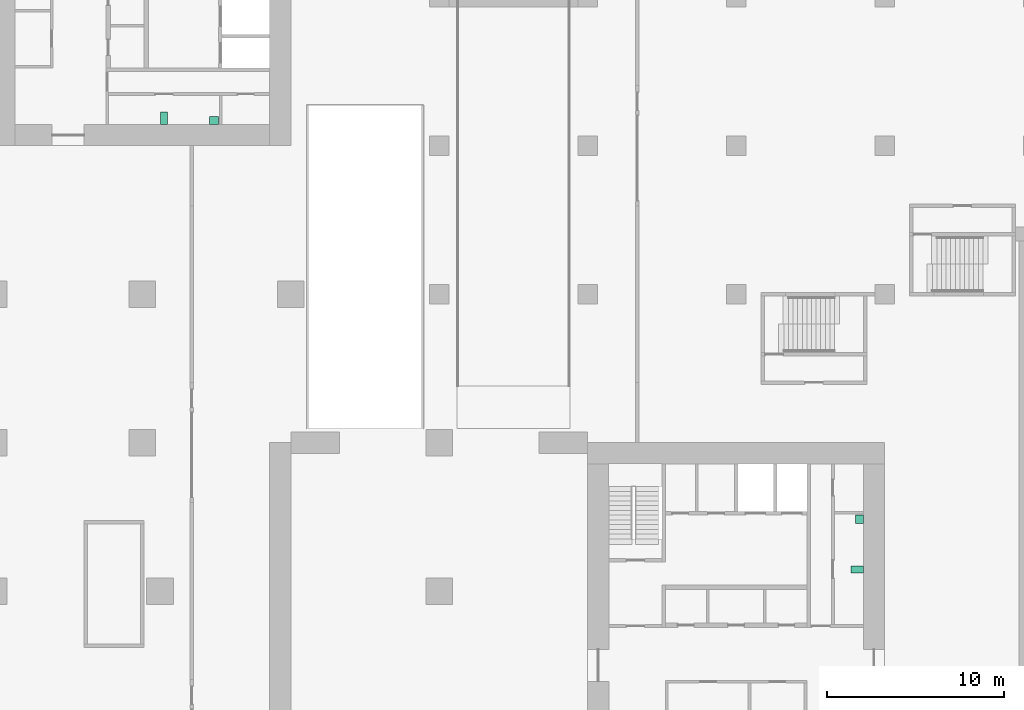
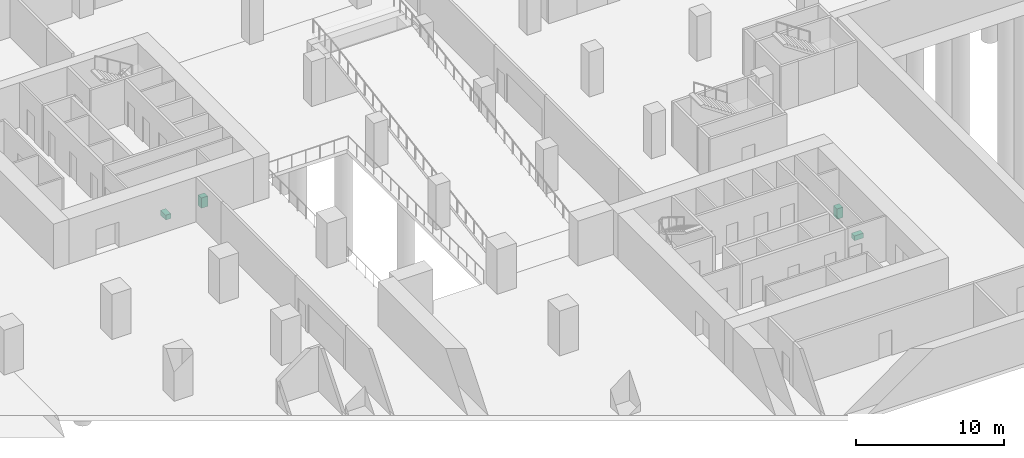
# One storey, part 18 of 19: 4 sanitary terminals.
"""IFC4 building model written with IfcOpenShell, lengths in metres."""

from ifc_helpers import new_model, si_unit, direction, frame, origin, origin_2d, place, context, subcontext, project, spatial, rectangle, extrude, material, element, save


model = new_model("IFC4")

# Units and contexts
model_context = context("Model", 3, precision=1e-05, world=origin(), true_north=direction((0.0, 1.0)))
body_context = subcontext(model_context, "Body", "Model", "MODEL_VIEW")
ifc_project = project(units=[si_unit("LENGTHUNIT", "METRE"), si_unit("AREAUNIT", "SQUARE_METRE"), si_unit("VOLUMEUNIT", "CUBIC_METRE"), si_unit("PLANEANGLEUNIT", "RADIAN"), si_unit("MASSUNIT", "GRAM", prefix="KILO")], contexts=[model_context])

# Site, building, storey
site_placement = place(None, origin())
site = spatial("IfcSite", under=ifc_project, at=site_placement, CompositionType="ELEMENT")
building_placement = place(site_placement, origin())
building = spatial("IfcBuilding", under=site, at=building_placement, Name="Vermilion Gate Residences", CompositionType="ELEMENT")
storey_placement = place(building_placement, frame((0.0, 0.0, -8.0)))
storey = spatial("IfcBuildingStorey", under=building, at=storey_placement, Name="B2", CompositionType="ELEMENT", Elevation=-8.0)

# Sanitary terminals
ifc_material = material(Name="Vitreous china")
sanitary_terminal_1_placement = place(storey_placement, frame((57.25, 18.032470703125, 0.0), z_axis=(0.0, 0.0, 1.0), x_axis=(1.0, 0.0, 0.0)))
element("IfcSanitaryTerminal", 1, at=sanitary_terminal_1_placement, inside=storey, material=ifc_material, Name="Toilet pan AB2", PredefinedType="TOILETPAN", context=body_context, shape_type="SweptSolid", body=[
    extrude(rectangle(XDim=0.699951171875, YDim=0.39990234375, at=origin_2d()), origin(), (0.0, 0.0, 1.0), 0.39990234375),
])
sanitary_terminal_2_placement = place(storey_placement, frame((57.375, 20.864990234375, 0.0), z_axis=(0.0, 0.0, 1.0), x_axis=(1.0, 0.0, 0.0)))
element("IfcSanitaryTerminal", 2, at=sanitary_terminal_2_placement, inside=storey, material=ifc_material, Name="Washbasin AB2", PredefinedType="WASHHANDBASIN", context=body_context, shape_type="SweptSolid", body=[
    extrude(rectangle(XDim=0.449951171875, YDim=0.5, at=origin_2d()), origin(), (0.0, 0.0, 1.0), 0.85009765625),
])
sanitary_terminal_3_placement = place(storey_placement, frame((18.032470703125, 43.550048828125, 0.0), z_axis=(0.0, 0.0, 1.0), x_axis=(1.0, 0.0, 0.0)))
element("IfcSanitaryTerminal", 3, at=sanitary_terminal_3_placement, inside=storey, material=ifc_material, Name="Toilet pan BB2", PredefinedType="TOILETPAN", context=body_context, shape_type="SweptSolid", body=[
    extrude(rectangle(XDim=0.39990234375, YDim=0.699951171875, at=origin_2d()), origin(), (0.0, 0.0, 1.0), 0.39990234375),
])
sanitary_terminal_4_placement = place(storey_placement, frame((20.864990234375, 43.425048828125, 0.0), z_axis=(0.0, 0.0, 1.0), x_axis=(1.0, 0.0, 0.0)))
element("IfcSanitaryTerminal", 4, at=sanitary_terminal_4_placement, inside=storey, material=ifc_material, Name="Washbasin BB2", PredefinedType="WASHHANDBASIN", context=body_context, shape_type="SweptSolid", body=[
    extrude(rectangle(XDim=0.5, YDim=0.449951171875, at=origin_2d()), origin(), (0.0, 0.0, 1.0), 0.85009765625),
])

save(model, "model.ifc")
